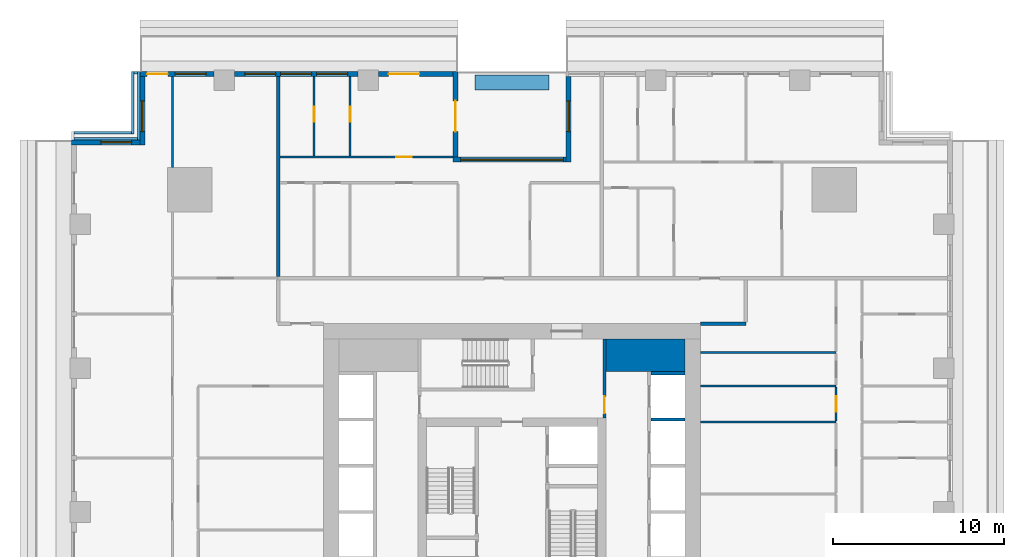
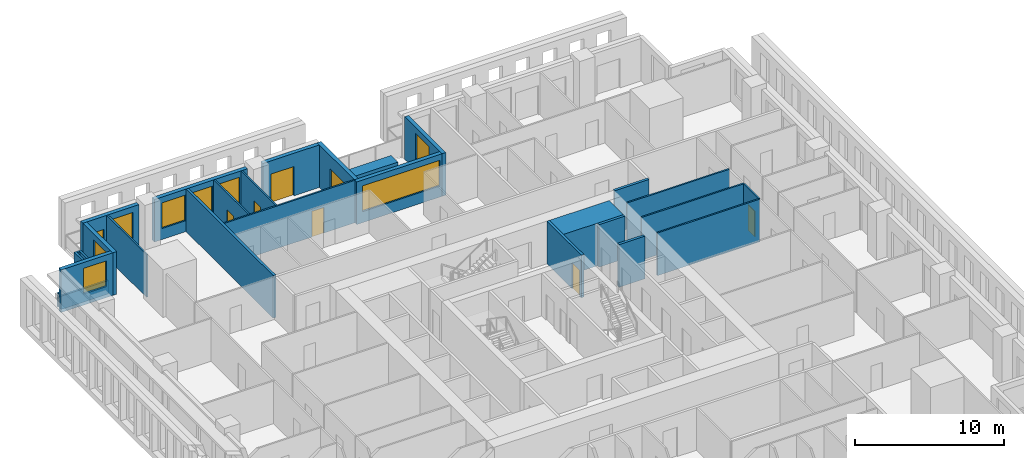
# One storey, part 8 of 16: 28 walls, 8 doors, 8 windows, 16 openings.
"""IFC4 building model written with IfcOpenShell, lengths in metres."""

from ifc_helpers import new_model, si_unit, direction, frame, frame_2d, origin, place, context, subcontext, project, spatial, rectangle, extrude, material, layer, layer_set, type_object, element, fill, save


model = new_model("IFC4")

# Units and contexts
model_context = context("Model", 3, precision=1e-05, world=origin(), true_north=direction((0.0, 1.0)))
body_context = subcontext(model_context, "Body", "Model", "MODEL_VIEW")
ifc_project = project(units=[si_unit("LENGTHUNIT", "METRE"), si_unit("AREAUNIT", "SQUARE_METRE"), si_unit("VOLUMEUNIT", "CUBIC_METRE"), si_unit("PLANEANGLEUNIT", "RADIAN"), si_unit("MASSUNIT", "GRAM", prefix="KILO")], contexts=[model_context])

# Site, building, storey
site_placement = place(None, origin())
site = spatial("IfcSite", under=ifc_project, at=site_placement, CompositionType="ELEMENT")
building_placement = place(site_placement, origin())
building = spatial("IfcBuilding", under=site, at=building_placement, Name="Khepri Terraces", CompositionType="ELEMENT")
storey_placement = place(building_placement, frame((0.0, 0.0, 133.800048828125)))
storey = spatial("IfcBuildingStorey", under=building, at=storey_placement, Name="L31", CompositionType="ELEMENT", Elevation=133.800048828125)

# Walls
ifc_material_1 = material(Name="Concrete C60/75", Category="concrete")
ifc_layer_1 = layer(ifc_material_1, 1.89990234375, Name="Concrete C60/75", Category="concrete")
ifc_layer_set_1 = layer_set([ifc_layer_1], Name="Concrete C60/75")
wall_type_1 = type_object("IfcWallType", Name="Core wall 1900 C60/75", PredefinedType="SHEAR", material=ifc_layer_set_1)
wall_1_placement = place(storey_placement, frame((5.5, 9.14990234375, 0.0), z_axis=(0.0, 0.0, 1.0), x_axis=(1.0, 0.0, 0.0)))
element("IfcWall", 1, at=wall_1_placement, inside=storey, type_object=wall_type_1, Name="Core wall PR04 L31", PredefinedType="SHEAR", context=body_context, shape_type="SweptSolid", body=[
    extrude(rectangle(XDim=4.60009765625, YDim=1.89990234375, at=frame_2d((2.300048828125, 0.0))), origin(), (0.0, 0.0, 1.0), 3.47998046875),
])
ifc_layer_2 = layer(ifc_material_1, 0.199951171875, Name="Concrete C60/75", Category="concrete")
ifc_layer_set_2 = layer_set([ifc_layer_2], Name="Concrete C60/75")
wall_type_2 = type_object("IfcWallType", Name="Core wall 200 C60/75", PredefinedType="SHEAR", material=ifc_layer_set_2)
for number, where, z_axis, x_axis, name in (
    (2, (8.10009765625, 5.39990234375, 0.0), (0.0, 0.0, 1.0), (1.0, 0.0, 0.0), "Core wall SH23 L31"),
    (3, (8.10009765625, 8.10009765625, 0.0), (0.0, 0.0, 1.0), (1.0, 0.0, 0.0), "Core wall SH25 L31"),
):
    element("IfcWall", number, at=place(storey_placement, frame(where, z_axis=z_axis, x_axis=x_axis)), inside=storey, type_object=wall_type_2, Name=name, PredefinedType="SHEAR", context=body_context, shape_type="SweptSolid", body=[
        extrude(rectangle(XDim=2.0, YDim=0.199951171875, at=frame_2d((1.0, 0.0))), origin(), (0.0, 0.0, 1.0), 3.47998046875),
    ])

# Wall, opening, door
ifc_material_2 = material(Name="Fire-rated gypsum board partition")
ifc_layer_3 = layer(ifc_material_2, 0.199951171875, Name="Fire-rated gypsum board partition")
ifc_layer_set_3 = layer_set([ifc_layer_3], Name="Fire-rated gypsum board partition")
wall_type_3 = type_object("IfcWallType", Name="WL-CORE-PART-200", PredefinedType="PARTITIONING", material=ifc_layer_set_3)
wall_2_placement = place(storey_placement, frame((5.39990234375, 5.5, 0.0), z_axis=(0.0, 0.0, 1.0), x_axis=(0.0, 1.0, 0.0)))
wall_2 = element("IfcWall", 4, at=wall_2_placement, inside=storey, type_object=wall_type_3, Name="Core partition PT04 L31", PredefinedType="PARTITIONING", context=body_context, shape_type="SweptSolid", body=[
    extrude(rectangle(XDim=4.60009765625, YDim=0.199951171875, at=frame_2d((2.300048828125, 0.0))), origin(), (0.0, 0.0, 1.0), 3.47998046875),
])
opening_1_placement = place(wall_2_placement, frame((0.25, 0.0, 0.0)))
opening_1 = element("IfcOpeningElement", 5, at=opening_1_placement, cuts=wall_2, Name="Opening L31-C17", PredefinedType="OPENING", context=body_context, shape_type="SweptSolid", body=[
    extrude(rectangle(XDim=1.0, YDim=2.10009765625, at=frame_2d((0.5, 1.050048828125))), frame((0.0, 0.10986328125, 0.0), z_axis=(0.0, -1.0, 0.0), x_axis=(1.0, 0.0, 0.0)), (0.0, 0.0, 1.0), 0.219970703125),
])
ifc_material_3 = material(Name="Painted steel", Category="steel")
door_type_1 = type_object("IfcDoorType", Name="DR-CORE-LOBBY-1000", OperationType="NOTDEFINED", PredefinedType="DOOR", material=ifc_material_3)
door_1_placement = place(opening_1_placement, origin())
door_1 = element("IfcDoor", 6, at=door_1_placement, inside=storey, type_object=door_type_1, Name="Lobby door L31-C17", OperationType="SINGLE_SWING_LEFT", OverallHeight=2.10009765625, OverallWidth=1.0, PredefinedType="DOOR", context=body_context, shape_type="SweptSolid", body=[
    extrude(rectangle(XDim=1.0, YDim=2.10009765625, at=frame_2d((0.5, 1.050048828125))), frame((0.0, 0.02490234375, 0.0), z_axis=(0.0, -1.0, 0.0), x_axis=(1.0, 0.0, 0.0)), (0.0, 0.0, 1.0), 0.050048828125),
])
fill(opening_1, door_1)

# Walls
ifc_material_4 = material(Name="Fire-rated gypsum plasterboard partition, mineral wool")
ifc_layer_4 = layer(ifc_material_4, 0.199951171875, Name="Fire-rated gypsum plasterboard partition, mineral wool")
ifc_layer_set_4 = layer_set([ifc_layer_4], Name="Fire-rated gypsum plasterboard partition, mineral wool")
wall_type_4 = type_object("IfcWallType", Name="WL-CORR-200", PredefinedType="PARTITIONING", material=ifc_layer_set_4)
wall_3_placement = place(storey_placement, frame((11.0, 11.0, 0.0), z_axis=(0.0, 0.0, 1.0), x_axis=(1.0, 0.0, 0.0)))
element("IfcWall", 7, at=wall_3_placement, inside=storey, type_object=wall_type_4, Name="Partition P-077 L31", PredefinedType="PARTITIONING", context=body_context, shape_type="SweptSolid", body=[
    extrude(rectangle(XDim=2.64990234375, YDim=0.199951171875, at=frame_2d((1.324951171875, 0.0))), origin(), (0.0, 0.0, 1.0), 3.47998046875),
])
wall_4_placement = place(storey_placement, frame((-13.64990234375, 13.75, 0.0), z_axis=(0.0, 0.0, 1.0), x_axis=(0.0, 1.0, 0.0)))
element("IfcWall", 8, at=wall_4_placement, inside=storey, type_object=wall_type_4, Name="Partition P-087 L31", PredefinedType="PARTITIONING", context=body_context, shape_type="SweptSolid", body=[
    extrude(rectangle(XDim=11.669921875, YDim=0.199951171875, at=frame_2d((5.8349609375, 0.0))), origin(), (0.0, 0.0, 1.0), 3.47998046875),
])

# Wall, opening, window
ifc_material_5 = material(Name="Precast concrete C50/60 warm stone", Category="masonry")
ifc_layer_5 = layer(ifc_material_5, 0.300048828125, Name="Precast concrete C50/60 warm stone", Category="masonry")
ifc_layer_set_5 = layer_set([ifc_layer_5], Name="Precast concrete C50/60 warm stone")
wall_type_5 = type_object("IfcWallType", Name="WL-EXT-PRECAST-300", PredefinedType="STANDARD", material=ifc_layer_set_5)
wall_5_placement = place(storey_placement, frame((3.300048828125, 25.419921875, 0.0), z_axis=(0.0, 0.0, 1.0), x_axis=(0.0, -1.0, 0.0)))
wall_5 = element("IfcWall", 9, at=wall_5_placement, inside=storey, type_object=wall_type_5, Name="External wall L31 W", PredefinedType="STANDARD", context=body_context, shape_type="SweptSolid", body=[
    extrude(rectangle(XDim=5.0, YDim=0.300048828125, at=frame_2d((2.5, 0.0))), origin(), (0.0, 0.0, 1.0), 3.47998046875),
])
opening_2_placement = place(wall_5_placement, frame((1.419921875, 0.0, 0.89990234375)))
opening_2 = element("IfcOpeningElement", 10, at=opening_2_placement, cuts=wall_5, Name="Opening W1", PredefinedType="OPENING", context=body_context, shape_type="SweptSolid", body=[
    extrude(rectangle(XDim=1.800048828125, YDim=2.10009765625, at=frame_2d((0.89990234375, 1.050048828125))), frame((0.0, 0.16015625, 0.0), z_axis=(0.0, -1.0, 0.0), x_axis=(1.0, 0.0, 0.0)), (0.0, 0.0, 1.0), 0.320068359375),
])
ifc_material_6 = material(Name="Clear glass", Category="glass")
window_type_1 = type_object("IfcWindowType", Name="WIN-RES-1800x2100", PartitioningType="SINGLE_PANEL", PredefinedType="WINDOW", material=ifc_material_6)
window_1_placement = place(opening_2_placement, origin())
window_1 = element("IfcWindow", 11, at=window_1_placement, inside=storey, type_object=window_type_1, Name="Window L31 W", OverallHeight=2.10009765625, OverallWidth=1.800048828125, PartitioningType="SINGLE_PANEL", PredefinedType="WINDOW", context=body_context, shape_type="SweptSolid", body=[
    extrude(rectangle(XDim=1.800048828125, YDim=2.10009765625, at=frame_2d((0.89990234375, 1.050048828125))), frame((0.0, 0.030029296875, 0.0), z_axis=(0.0, -1.0, 0.0), x_axis=(1.0, 0.0, 0.0)), (0.0, 0.0, 1.0), 0.06005859375),
])
fill(opening_2, window_1)

wall_6_placement = place(storey_placement, frame((3.14990234375, 20.570068359375, 0.0), z_axis=(0.0, 0.0, 1.0), x_axis=(-1.0, 0.0, 0.0)))
wall_6 = element("IfcWall", 12, at=wall_6_placement, inside=storey, type_object=wall_type_5, Name="External wall L31 N", PredefinedType="STANDARD", context=body_context, shape_type="SweptSolid", body=[
    extrude(rectangle(XDim=6.599853515625, YDim=0.300048828125, at=frame_2d((3.2998046875, 0.0))), origin(), (0.0, 0.0, 1.0), 3.47998046875),
])
opening_3_placement = place(wall_6_placement, frame((0.14990234375, 0.0, 0.89990234375)))
opening_3 = element("IfcOpeningElement", 13, at=opening_3_placement, cuts=wall_6, Name="Opening W3", PredefinedType="OPENING", context=body_context, shape_type="SweptSolid", body=[
    extrude(rectangle(XDim=6.0, YDim=2.10009765625, at=frame_2d((3.0, 1.050048828125))), frame((0.0, 0.16015625, 0.0), z_axis=(0.0, -1.0, 0.0), x_axis=(1.0, 0.0, 0.0)), (0.0, 0.0, 1.0), 0.320068359375),
])
window_type_2 = type_object("IfcWindowType", Name="WIN-RES-6000x2100", PartitioningType="SINGLE_PANEL", PredefinedType="WINDOW", material=ifc_material_6)
window_2_placement = place(opening_3_placement, origin())
window_2 = element("IfcWindow", 14, at=window_2_placement, inside=storey, type_object=window_type_2, Name="Window L31 N", OverallHeight=2.10009765625, OverallWidth=6.0, PartitioningType="SINGLE_PANEL", PredefinedType="WINDOW", context=body_context, shape_type="SweptSolid", body=[
    extrude(rectangle(XDim=6.0, YDim=2.10009765625, at=frame_2d((3.0, 1.050048828125))), frame((0.0, 0.030029296875, 0.0), z_axis=(0.0, -1.0, 0.0), x_axis=(1.0, 0.0, 0.0)), (0.0, 0.0, 1.0), 0.06005859375),
])
fill(opening_3, window_2)

# Wall, opening, door
wall_7_placement = place(storey_placement, frame((-3.300048828125, 20.719970703125, 0.0), z_axis=(0.0, 0.0, 1.0), x_axis=(0.0, 1.0, 0.0)))
wall_7 = element("IfcWall", 15, at=wall_7_placement, inside=storey, type_object=wall_type_5, Name="External wall L31 E", PredefinedType="STANDARD", context=body_context, shape_type="SweptSolid", body=[
    extrude(rectangle(XDim=5.0, YDim=0.300048828125, at=frame_2d((2.5, 0.0))), origin(), (0.0, 0.0, 1.0), 3.47998046875),
])
opening_4_placement = place(wall_7_placement, frame((1.47998046875, 0.0, 0.0)))
opening_4 = element("IfcOpeningElement", 16, at=opening_4_placement, cuts=wall_7, Name="Opening ED-L31-10", PredefinedType="OPENING", context=body_context, shape_type="SweptSolid", body=[
    extrude(rectangle(XDim=1.800048828125, YDim=2.39990234375, at=frame_2d((0.89990234375, 1.199951171875))), frame((0.0, 0.16015625, 0.0), z_axis=(0.0, -1.0, 0.0), x_axis=(1.0, 0.0, 0.0)), (0.0, 0.0, 1.0), 0.320068359375),
])
ifc_material_7 = material(Name="Anodised aluminium bronze glazed door", Category="aluminium")
door_type_2 = type_object("IfcDoorType", Name="DR-BAL-SLIDE-1800x2400", OperationType="NOTDEFINED", PredefinedType="DOOR", material=ifc_material_7)
door_2_placement = place(opening_4_placement, origin())
door_2 = element("IfcDoor", 17, at=door_2_placement, inside=storey, type_object=door_type_2, Name="Balcony door L31 E", OperationType="SLIDING_TO_RIGHT", OverallHeight=2.39990234375, OverallWidth=1.800048828125, PredefinedType="DOOR", context=body_context, shape_type="SweptSolid", body=[
    extrude(rectangle(XDim=1.800048828125, YDim=2.39990234375, at=frame_2d((0.89990234375, 1.199951171875))), frame((0.0, 0.02490234375, 0.0), z_axis=(0.0, -1.0, 0.0), x_axis=(1.0, 0.0, 0.0)), (0.0, 0.0, 1.0), 0.050048828125),
])
fill(opening_4, door_2)

wall_8_placement = place(storey_placement, frame((-3.449951171875, 25.570068359375, 0.0), z_axis=(0.0, 0.0, 1.0), x_axis=(-1.0, 0.0, 0.0)))
wall_8 = element("IfcWall", 18, at=wall_8_placement, inside=storey, type_object=wall_type_5, Name="External wall L31 N", PredefinedType="STANDARD", context=body_context, shape_type="SweptSolid", body=[
    extrude(rectangle(XDim=4.35009765625, YDim=0.300048828125, at=frame_2d((2.175048828125, 0.0))), origin(), (0.0, 0.0, 1.0), 3.47998046875),
])
opening_5_placement = place(wall_8_placement, frame((1.949951171875, 0.0, 0.0)))
opening_5 = element("IfcOpeningElement", 19, at=opening_5_placement, cuts=wall_8, Name="Opening ED-L31-11", PredefinedType="OPENING", context=body_context, shape_type="SweptSolid", body=[
    extrude(rectangle(XDim=1.800048828125, YDim=2.39990234375, at=frame_2d((0.89990234375, 1.199951171875))), frame((0.0, 0.16015625, 0.0), z_axis=(0.0, -1.0, 0.0), x_axis=(1.0, 0.0, 0.0)), (0.0, 0.0, 1.0), 0.320068359375),
])
door_3_placement = place(opening_5_placement, origin())
door_3 = element("IfcDoor", 20, at=door_3_placement, inside=storey, type_object=door_type_2, Name="Balcony door L31 N", OperationType="SLIDING_TO_RIGHT", OverallHeight=2.39990234375, OverallWidth=1.800048828125, PredefinedType="DOOR", context=body_context, shape_type="SweptSolid", body=[
    extrude(rectangle(XDim=1.800048828125, YDim=2.39990234375, at=frame_2d((0.89990234375, 1.199951171875))), frame((0.0, 0.02490234375, 0.0), z_axis=(0.0, -1.0, 0.0), x_axis=(1.0, 0.0, 0.0)), (0.0, 0.0, 1.0), 0.050048828125),
])
fill(opening_5, door_3)

# Wall, openings, windows
wall_9_placement = place(storey_placement, frame((-9.0, 25.570068359375, 0.0), z_axis=(0.0, 0.0, 1.0), x_axis=(-1.0, 0.0, 0.0)))
wall_9 = element("IfcWall", 21, at=wall_9_placement, inside=storey, type_object=wall_type_5, Name="External wall L31 N", PredefinedType="STANDARD", context=body_context, shape_type="SweptSolid", body=[
    extrude(rectangle(XDim=7.199951171875, YDim=0.300048828125, at=frame_2d((3.60009765625, 0.0))), origin(), (0.0, 0.0, 1.0), 3.47998046875),
])
opening_6_placement = place(wall_9_placement, frame((0.60009765625, 0.0, 0.89990234375)))
opening_6 = element("IfcOpeningElement", 22, at=opening_6_placement, cuts=wall_9, Name="Opening W1", PredefinedType="OPENING", context=body_context, shape_type="SweptSolid", body=[
    extrude(rectangle(XDim=1.800048828125, YDim=2.10009765625, at=frame_2d((0.89990234375, 1.050048828125))), frame((0.0, 0.16015625, 0.0), z_axis=(0.0, -1.0, 0.0), x_axis=(1.0, 0.0, 0.0)), (0.0, 0.0, 1.0), 0.320068359375),
])
opening_7_placement = place(wall_9_placement, frame((2.699951171875, 0.0, 0.89990234375)))
opening_7 = element("IfcOpeningElement", 23, at=opening_7_placement, cuts=wall_9, Name="Opening W1", PredefinedType="OPENING", context=body_context, shape_type="SweptSolid", body=[
    extrude(rectangle(XDim=1.800048828125, YDim=2.10009765625, at=frame_2d((0.89990234375, 1.050048828125))), frame((0.0, 0.16015625, 0.0), z_axis=(0.0, -1.0, 0.0), x_axis=(1.0, 0.0, 0.0)), (0.0, 0.0, 1.0), 0.320068359375),
])
opening_8_placement = place(wall_9_placement, frame((4.800048828125, 0.0, 0.89990234375)))
opening_8 = element("IfcOpeningElement", 24, at=opening_8_placement, cuts=wall_9, Name="Opening W1", PredefinedType="OPENING", context=body_context, shape_type="SweptSolid", body=[
    extrude(rectangle(XDim=1.800048828125, YDim=2.10009765625, at=frame_2d((0.89990234375, 1.050048828125))), frame((0.0, 0.16015625, 0.0), z_axis=(0.0, -1.0, 0.0), x_axis=(1.0, 0.0, 0.0)), (0.0, 0.0, 1.0), 0.320068359375),
])
window_3_placement = place(opening_6_placement, origin())
window_3 = element("IfcWindow", 25, at=window_3_placement, inside=storey, type_object=window_type_1, Name="Window L31 N", OverallHeight=2.10009765625, OverallWidth=1.800048828125, PartitioningType="SINGLE_PANEL", PredefinedType="WINDOW", context=body_context, shape_type="SweptSolid", body=[
    extrude(rectangle(XDim=1.800048828125, YDim=2.10009765625, at=frame_2d((0.89990234375, 1.050048828125))), frame((0.0, 0.030029296875, 0.0), z_axis=(0.0, -1.0, 0.0), x_axis=(1.0, 0.0, 0.0)), (0.0, 0.0, 1.0), 0.06005859375),
])
fill(opening_6, window_3)
window_4_placement = place(opening_7_placement, origin())
window_4 = element("IfcWindow", 26, at=window_4_placement, inside=storey, type_object=window_type_1, Name="Window L31 N", OverallHeight=2.10009765625, OverallWidth=1.800048828125, PartitioningType="SINGLE_PANEL", PredefinedType="WINDOW", context=body_context, shape_type="SweptSolid", body=[
    extrude(rectangle(XDim=1.800048828125, YDim=2.10009765625, at=frame_2d((0.89990234375, 1.050048828125))), frame((0.0, 0.030029296875, 0.0), z_axis=(0.0, -1.0, 0.0), x_axis=(1.0, 0.0, 0.0)), (0.0, 0.0, 1.0), 0.06005859375),
])
fill(opening_7, window_4)
window_5_placement = place(opening_8_placement, origin())
window_5 = element("IfcWindow", 27, at=window_5_placement, inside=storey, type_object=window_type_1, Name="Window L31 N", OverallHeight=2.10009765625, OverallWidth=1.800048828125, PartitioningType="SINGLE_PANEL", PredefinedType="WINDOW", context=body_context, shape_type="SweptSolid", body=[
    extrude(rectangle(XDim=1.800048828125, YDim=2.10009765625, at=frame_2d((0.89990234375, 1.050048828125))), frame((0.0, 0.030029296875, 0.0), z_axis=(0.0, -1.0, 0.0), x_axis=(1.0, 0.0, 0.0)), (0.0, 0.0, 1.0), 0.06005859375),
])
fill(opening_8, window_5)

# Wall, openings, door, window
wall_10_placement = place(storey_placement, frame((-17.39990234375, 25.570068359375, 0.0), z_axis=(0.0, 0.0, 1.0), x_axis=(-1.0, 0.0, 0.0)))
wall_10 = element("IfcWall", 28, at=wall_10_placement, inside=storey, type_object=wall_type_5, Name="External wall L31 N", PredefinedType="STANDARD", context=body_context, shape_type="SweptSolid", body=[
    extrude(rectangle(XDim=4.320068359375, YDim=0.300048828125, at=frame_2d((2.16015625, 0.0))), origin(), (0.0, 0.0, 1.0), 3.47998046875),
])
opening_9_placement = place(wall_10_placement, frame((2.695068359375, 0.0, 0.0)))
opening_9 = element("IfcOpeningElement", 29, at=opening_9_placement, cuts=wall_10, Name="Opening ED-L31-12", PredefinedType="OPENING", context=body_context, shape_type="SweptSolid", body=[
    extrude(rectangle(XDim=1.199951171875, YDim=2.39990234375, at=frame_2d((0.60009765625, 1.199951171875))), frame((0.0, 0.16015625, 0.0), z_axis=(0.0, -1.0, 0.0), x_axis=(1.0, 0.0, 0.0)), (0.0, 0.0, 1.0), 0.320068359375),
])
opening_10_placement = place(wall_10_placement, frame((0.4599609375, 0.0, 0.89990234375)))
opening_10 = element("IfcOpeningElement", 30, at=opening_10_placement, cuts=wall_10, Name="Opening W1", PredefinedType="OPENING", context=body_context, shape_type="SweptSolid", body=[
    extrude(rectangle(XDim=1.800048828125, YDim=2.10009765625, at=frame_2d((0.89990234375, 1.050048828125))), frame((0.0, 0.16015625, 0.0), z_axis=(0.0, -1.0, 0.0), x_axis=(1.0, 0.0, 0.0)), (0.0, 0.0, 1.0), 0.320068359375),
])
door_type_3 = type_object("IfcDoorType", Name="DR-BAL-SLIDE-1200x2400", OperationType="NOTDEFINED", PredefinedType="DOOR", material=ifc_material_7)
door_4_placement = place(opening_9_placement, origin())
door_4 = element("IfcDoor", 31, at=door_4_placement, inside=storey, type_object=door_type_3, Name="Balcony door L31 N", OperationType="SLIDING_TO_LEFT", OverallHeight=2.39990234375, OverallWidth=1.199951171875, PredefinedType="DOOR", context=body_context, shape_type="SweptSolid", body=[
    extrude(rectangle(XDim=1.199951171875, YDim=2.39990234375, at=frame_2d((0.60009765625, 1.199951171875))), frame((0.0, 0.02490234375, 0.0), z_axis=(0.0, -1.0, 0.0), x_axis=(1.0, 0.0, 0.0)), (0.0, 0.0, 1.0), 0.050048828125),
])
fill(opening_9, door_4)
window_6_placement = place(opening_10_placement, origin())
window_6 = element("IfcWindow", 32, at=window_6_placement, inside=storey, type_object=window_type_1, Name="Window L31 N", OverallHeight=2.10009765625, OverallWidth=1.800048828125, PartitioningType="SINGLE_PANEL", PredefinedType="WINDOW", context=body_context, shape_type="SweptSolid", body=[
    extrude(rectangle(XDim=1.800048828125, YDim=2.10009765625, at=frame_2d((0.89990234375, 1.050048828125))), frame((0.0, 0.030029296875, 0.0), z_axis=(0.0, -1.0, 0.0), x_axis=(1.0, 0.0, 0.0)), (0.0, 0.0, 1.0), 0.06005859375),
])
fill(opening_10, window_6)

# Wall, opening, window
wall_11_placement = place(storey_placement, frame((-21.570068359375, 25.419921875, 0.0), z_axis=(0.0, 0.0, 1.0), x_axis=(0.0, -1.0, 0.0)))
wall_11 = element("IfcWall", 33, at=wall_11_placement, inside=storey, type_object=wall_type_5, Name="External wall L31 W", PredefinedType="STANDARD", context=body_context, shape_type="SweptSolid", body=[
    extrude(rectangle(XDim=4.0, YDim=0.300048828125, at=frame_2d((2.0, 0.0))), origin(), (0.0, 0.0, 1.0), 3.47998046875),
])
opening_11_placement = place(wall_11_placement, frame((1.419921875, 0.0, 0.89990234375)))
opening_11 = element("IfcOpeningElement", 34, at=opening_11_placement, cuts=wall_11, Name="Opening W1", PredefinedType="OPENING", context=body_context, shape_type="SweptSolid", body=[
    extrude(rectangle(XDim=1.800048828125, YDim=2.10009765625, at=frame_2d((0.89990234375, 1.050048828125))), frame((0.0, 0.16015625, 0.0), z_axis=(0.0, -1.0, 0.0), x_axis=(1.0, 0.0, 0.0)), (0.0, 0.0, 1.0), 0.320068359375),
])
window_7_placement = place(opening_11_placement, origin())
window_7 = element("IfcWindow", 35, at=window_7_placement, inside=storey, type_object=window_type_1, Name="Window L31 W", OverallHeight=2.10009765625, OverallWidth=1.800048828125, PartitioningType="SINGLE_PANEL", PredefinedType="WINDOW", context=body_context, shape_type="SweptSolid", body=[
    extrude(rectangle(XDim=1.800048828125, YDim=2.10009765625, at=frame_2d((0.89990234375, 1.050048828125))), frame((0.0, 0.030029296875, 0.0), z_axis=(0.0, -1.0, 0.0), x_axis=(1.0, 0.0, 0.0)), (0.0, 0.0, 1.0), 0.06005859375),
])
fill(opening_11, window_7)

wall_12_placement = place(storey_placement, frame((-21.719970703125, 21.570068359375, 0.0), z_axis=(0.0, 0.0, 1.0), x_axis=(-1.0, 0.0, 0.0)))
wall_12 = element("IfcWall", 36, at=wall_12_placement, inside=storey, type_object=wall_type_5, Name="External wall L31 N", PredefinedType="STANDARD", context=body_context, shape_type="SweptSolid", body=[
    extrude(rectangle(XDim=4.0, YDim=0.300048828125, at=frame_2d((2.0, 0.0))), origin(), (0.0, 0.0, 1.0), 3.47998046875),
])
opening_12_placement = place(wall_12_placement, frame((0.47998046875, 0.0, 0.89990234375)))
opening_12 = element("IfcOpeningElement", 37, at=opening_12_placement, cuts=wall_12, Name="Opening W1", PredefinedType="OPENING", context=body_context, shape_type="SweptSolid", body=[
    extrude(rectangle(XDim=1.800048828125, YDim=2.10009765625, at=frame_2d((0.89990234375, 1.050048828125))), frame((0.0, 0.16015625, 0.0), z_axis=(0.0, -1.0, 0.0), x_axis=(1.0, 0.0, 0.0)), (0.0, 0.0, 1.0), 0.320068359375),
])
window_8_placement = place(opening_12_placement, origin())
window_8 = element("IfcWindow", 38, at=window_8_placement, inside=storey, type_object=window_type_1, Name="Window L31 N", OverallHeight=2.10009765625, OverallWidth=1.800048828125, PartitioningType="SINGLE_PANEL", PredefinedType="WINDOW", context=body_context, shape_type="SweptSolid", body=[
    extrude(rectangle(XDim=1.800048828125, YDim=2.10009765625, at=frame_2d((0.89990234375, 1.050048828125))), frame((0.0, 0.030029296875, 0.0), z_axis=(0.0, -1.0, 0.0), x_axis=(1.0, 0.0, 0.0)), (0.0, 0.0, 1.0), 0.06005859375),
])
fill(opening_12, window_8)

# Walls
ifc_layer_6 = layer(ifc_material_5, 0.14990234375, Name="Precast concrete C50/60 warm stone", Category="masonry")
ifc_layer_set_6 = layer_set([ifc_layer_6], Name="Precast concrete C50/60 warm stone")
wall_type_6 = type_object("IfcWallType", Name="WL-PARAPET-150", PredefinedType="PARAPET", material=ifc_layer_set_6)
wall_13_placement = place(storey_placement, frame((-25.570068359375, 22.14501953125, 0.0), z_axis=(0.0, 0.0, 1.0), x_axis=(1.0, 0.0, 0.0)))
element("IfcWall", 39, at=wall_13_placement, inside=storey, type_object=wall_type_6, Name="Ledge parapet L31", PredefinedType="PARAPET", context=body_context, shape_type="SweptSolid", body=[
    extrude(rectangle(XDim=3.35009765625, YDim=0.14990234375, at=frame_2d((1.675048828125, 0.0))), origin(), (0.0, 0.0, 1.0), 1.099853515625),
])
wall_14_placement = place(storey_placement, frame((-25.570068359375, 21.794921875, 0.0), z_axis=(0.0, 0.0, 1.0), x_axis=(1.0, 0.0, 0.0)))
element("IfcWall", 40, at=wall_14_placement, inside=storey, type_object=wall_type_6, Name="Ledge parapet L31", PredefinedType="PARAPET", context=body_context, shape_type="SweptSolid", body=[
    extrude(rectangle(XDim=3.699951171875, YDim=0.14990234375, at=frame_2d((1.85009765625, 0.0))), origin(), (0.0, 0.0, 1.0), 1.099853515625),
])
wall_15_placement = place(storey_placement, frame((-22.14501953125, 22.070068359375, 0.0), z_axis=(0.0, 0.0, 1.0), x_axis=(0.0, 1.0, 0.0)))
element("IfcWall", 41, at=wall_15_placement, inside=storey, type_object=wall_type_6, Name="Ledge parapet L31", PredefinedType="PARAPET", context=body_context, shape_type="SweptSolid", body=[
    extrude(rectangle(XDim=3.64990234375, YDim=0.14990234375, at=frame_2d((1.824951171875, 0.0))), origin(), (0.0, 0.0, 1.0), 1.099853515625),
])
wall_16_placement = place(storey_placement, frame((-22.070068359375, 25.64501953125, 0.0), z_axis=(0.0, 0.0, 1.0), x_axis=(1.0, 0.0, 0.0)))
element("IfcWall", 42, at=wall_16_placement, inside=storey, type_object=wall_type_6, Name="Ledge parapet L31", PredefinedType="PARAPET", context=body_context, shape_type="SweptSolid", body=[
    extrude(rectangle(XDim=0.199951171875, YDim=0.14990234375, at=frame_2d((0.10009765625, 0.0))), origin(), (0.0, 0.0, 1.0), 1.099853515625),
])
wall_17_placement = place(storey_placement, frame((-21.794921875, 21.719970703125, 0.0), z_axis=(0.0, 0.0, 1.0), x_axis=(0.0, 1.0, 0.0)))
element("IfcWall", 43, at=wall_17_placement, inside=storey, type_object=wall_type_6, Name="Ledge parapet L31", PredefinedType="PARAPET", context=body_context, shape_type="SweptSolid", body=[
    extrude(rectangle(XDim=4.0, YDim=0.14990234375, at=frame_2d((2.0, 0.0))), origin(), (0.0, 0.0, 1.0), 1.099853515625),
])
ifc_material_8 = material(Name="Gypsum plasterboard partition")
ifc_layer_7 = layer(ifc_material_8, 0.1201171875, Name="Gypsum plasterboard partition")
ifc_layer_set_7 = layer_set([ifc_layer_7], Name="Gypsum plasterboard partition")
wall_type_7 = type_object("IfcWallType", Name="WL-PART-120", PredefinedType="PARTITIONING", material=ifc_layer_set_7)
wall_18_placement = place(storey_placement, frame((11.0, 5.25, 0.0), z_axis=(0.0, 0.0, 1.0), x_axis=(1.0, 0.0, 0.0)))
element("IfcWall", 44, at=wall_18_placement, inside=storey, type_object=wall_type_7, Name="Partition P-065 L31", PredefinedType="PARTITIONING", context=body_context, shape_type="SweptSolid", body=[
    extrude(rectangle(XDim=7.919921875, YDim=0.1201171875, at=frame_2d((3.9599609375, 0.0))), origin(), (0.0, 0.0, 1.0), 3.47998046875),
])

# Wall, opening, door
wall_19_placement = place(storey_placement, frame((18.919921875, 5.31005859375, 0.0), z_axis=(0.0, 0.0, 1.0), x_axis=(0.0, 1.0, 0.0)))
wall_19 = element("IfcWall", 45, at=wall_19_placement, inside=storey, type_object=wall_type_7, Name="Partition P-067 L31", PredefinedType="PARTITIONING", context=body_context, shape_type="SweptSolid", body=[
    extrude(rectangle(XDim=1.97998046875, YDim=0.1201171875, at=frame_2d((0.989990234375, 0.0))), origin(), (0.0, 0.0, 1.0), 3.47998046875),
])
opening_13_placement = place(wall_19_placement, frame((0.5400390625, 0.0, 0.0)))
opening_13 = element("IfcOpeningElement", 46, at=opening_13_placement, cuts=wall_19, Name="Opening D4", PredefinedType="OPENING", context=body_context, shape_type="SweptSolid", body=[
    extrude(rectangle(XDim=0.89990234375, YDim=2.10009765625, at=frame_2d((0.449951171875, 1.050048828125))), frame((0.0, 0.070068359375, 0.0), z_axis=(0.0, -1.0, 0.0), x_axis=(1.0, 0.0, 0.0)), (0.0, 0.0, 1.0), 0.14013671875),
])
ifc_material_9 = material(Name="Timber door leaf, moisture resistant", Category="wood")
door_type_4 = type_object("IfcDoorType", Name="DR-WET-900", OperationType="NOTDEFINED", PredefinedType="DOOR", material=ifc_material_9)
door_5_placement = place(opening_13_placement, origin())
door_5 = element("IfcDoor", 47, at=door_5_placement, inside=storey, type_object=door_type_4, Name="Door Powder Room", OperationType="SINGLE_SWING_RIGHT", OverallHeight=2.10009765625, OverallWidth=0.89990234375, PredefinedType="DOOR", context=body_context, shape_type="SweptSolid", body=[
    extrude(rectangle(XDim=0.89990234375, YDim=2.10009765625, at=frame_2d((0.449951171875, 1.050048828125))), frame((0.0, 0.02490234375, 0.0), z_axis=(0.0, -1.0, 0.0), x_axis=(1.0, 0.0, 0.0)), (0.0, 0.0, 1.0), 0.050048828125),
])
fill(opening_13, door_5)

# Walls
for number, where, z_axis, x_axis, name in (
    (48, (11.0, 7.35009765625, 0.0), (0.0, 0.0, 1.0), (1.0, 0.0, 0.0), "Partition P-070 L31"),
    (49, (11.0, 9.300048828125, 0.0), (0.0, 0.0, 1.0), (1.0, 0.0, 0.0), "Partition P-074 L31"),
):
    element("IfcWall", number, at=place(storey_placement, frame(where, z_axis=z_axis, x_axis=x_axis)), inside=storey, type_object=wall_type_7, Name=name, PredefinedType="PARTITIONING", context=body_context, shape_type="SweptSolid", body=[
        extrude(rectangle(XDim=7.919921875, YDim=0.1201171875, at=frame_2d((3.9599609375, 0.0))), origin(), (0.0, 0.0, 1.0), 3.47998046875),
    ])
wall_20_placement = place(storey_placement, frame((-19.820068359375, 20.10009765625, 0.0), z_axis=(0.0, 0.0, 1.0), x_axis=(0.0, 1.0, 0.0)))
element("IfcWall", 50, at=wall_20_placement, inside=storey, type_object=wall_type_7, Name="Partition P-099 L31", PredefinedType="PARTITIONING", context=body_context, shape_type="SweptSolid", body=[
    extrude(rectangle(XDim=5.31982421875, YDim=0.1201171875, at=frame_2d((2.659912109375, 0.0))), origin(), (0.0, 0.0, 1.0), 3.47998046875),
])

# Wall, opening, door
wall_21_placement = place(storey_placement, frame((-13.550048828125, 20.719970703125, 0.0), z_axis=(0.0, 0.0, 1.0), x_axis=(1.0, 0.0, 0.0)))
wall_21 = element("IfcWall", 51, at=wall_21_placement, inside=storey, type_object=wall_type_7, Name="Partition P-104 L31", PredefinedType="PARTITIONING", context=body_context, shape_type="SweptSolid", body=[
    extrude(rectangle(XDim=10.10009765625, YDim=0.1201171875, at=frame_2d((5.050048828125, 0.0))), origin(), (0.0, 0.0, 1.0), 3.47998046875),
])
opening_14_placement = place(wall_21_placement, frame((6.800048828125, 0.0, 0.0)))
opening_14 = element("IfcOpeningElement", 52, at=opening_14_placement, cuts=wall_21, Name="Opening D3", PredefinedType="OPENING", context=body_context, shape_type="SweptSolid", body=[
    extrude(rectangle(XDim=0.89990234375, YDim=2.10009765625, at=frame_2d((0.449951171875, 1.050048828125))), frame((0.0, 0.070068359375, 0.0), z_axis=(0.0, -1.0, 0.0), x_axis=(1.0, 0.0, 0.0)), (0.0, 0.0, 1.0), 0.14013671875),
])
ifc_material_10 = material(Name="Timber door leaf", Category="wood")
door_type_5 = type_object("IfcDoorType", Name="DR-INT-900", OperationType="NOTDEFINED", PredefinedType="DOOR", material=ifc_material_10)
door_6_placement = place(opening_14_placement, origin())
door_6 = element("IfcDoor", 53, at=door_6_placement, inside=storey, type_object=door_type_5, Name="Door Master Bedroom", OperationType="SINGLE_SWING_RIGHT", OverallHeight=2.10009765625, OverallWidth=0.89990234375, PredefinedType="DOOR", context=body_context, shape_type="SweptSolid", body=[
    extrude(rectangle(XDim=0.89990234375, YDim=2.10009765625, at=frame_2d((0.449951171875, 1.050048828125))), frame((0.0, 0.02490234375, 0.0), z_axis=(0.0, -1.0, 0.0), x_axis=(1.0, 0.0, 0.0)), (0.0, 0.0, 1.0), 0.050048828125),
])
fill(opening_14, door_6)

wall_22_placement = place(storey_placement, frame((-11.550048828125, 20.780029296875, 0.0), z_axis=(0.0, 0.0, 1.0), x_axis=(0.0, 1.0, 0.0)))
wall_22 = element("IfcWall", 54, at=wall_22_placement, inside=storey, type_object=wall_type_7, Name="Partition P-105 L31", PredefinedType="PARTITIONING", context=body_context, shape_type="SweptSolid", body=[
    extrude(rectangle(XDim=4.639892578125, YDim=0.1201171875, at=frame_2d((2.31982421875, 0.0))), origin(), (0.0, 0.0, 1.0), 3.47998046875),
])
opening_15_placement = place(wall_22_placement, frame((1.989990234375, 0.0, 0.0)))
opening_15 = element("IfcOpeningElement", 55, at=opening_15_placement, cuts=wall_22, Name="Opening D4", PredefinedType="OPENING", context=body_context, shape_type="SweptSolid", body=[
    extrude(rectangle(XDim=0.89990234375, YDim=2.10009765625, at=frame_2d((0.449951171875, 1.050048828125))), frame((0.0, 0.070068359375, 0.0), z_axis=(0.0, -1.0, 0.0), x_axis=(1.0, 0.0, 0.0)), (0.0, 0.0, 1.0), 0.14013671875),
])
door_7_placement = place(opening_15_placement, origin())
door_7 = element("IfcDoor", 56, at=door_7_placement, inside=storey, type_object=door_type_4, Name="Door Bathroom", OperationType="SINGLE_SWING_RIGHT", OverallHeight=2.10009765625, OverallWidth=0.89990234375, PredefinedType="DOOR", context=body_context, shape_type="SweptSolid", body=[
    extrude(rectangle(XDim=0.89990234375, YDim=2.10009765625, at=frame_2d((0.449951171875, 1.050048828125))), frame((0.0, 0.02490234375, 0.0), z_axis=(0.0, -1.0, 0.0), x_axis=(1.0, 0.0, 0.0)), (0.0, 0.0, 1.0), 0.050048828125),
])
fill(opening_15, door_7)

wall_23_placement = place(storey_placement, frame((-9.449951171875, 20.780029296875, 0.0), z_axis=(0.0, 0.0, 1.0), x_axis=(0.0, 1.0, 0.0)))
wall_23 = element("IfcWall", 57, at=wall_23_placement, inside=storey, type_object=wall_type_7, Name="Partition P-106 L31", PredefinedType="PARTITIONING", context=body_context, shape_type="SweptSolid", body=[
    extrude(rectangle(XDim=4.639892578125, YDim=0.1201171875, at=frame_2d((2.31982421875, 0.0))), origin(), (0.0, 0.0, 1.0), 3.47998046875),
])
opening_16_placement = place(wall_23_placement, frame((1.989990234375, 0.0, 0.0)))
opening_16 = element("IfcOpeningElement", 58, at=opening_16_placement, cuts=wall_23, Name="Opening D3", PredefinedType="OPENING", context=body_context, shape_type="SweptSolid", body=[
    extrude(rectangle(XDim=0.89990234375, YDim=2.10009765625, at=frame_2d((0.449951171875, 1.050048828125))), frame((0.0, 0.070068359375, 0.0), z_axis=(0.0, -1.0, 0.0), x_axis=(1.0, 0.0, 0.0)), (0.0, 0.0, 1.0), 0.14013671875),
])
door_8_placement = place(opening_16_placement, origin())
door_8 = element("IfcDoor", 59, at=door_8_placement, inside=storey, type_object=door_type_5, Name="Door Dressing Room", OperationType="SINGLE_SWING_RIGHT", OverallHeight=2.10009765625, OverallWidth=0.89990234375, PredefinedType="DOOR", context=body_context, shape_type="SweptSolid", body=[
    extrude(rectangle(XDim=0.89990234375, YDim=2.10009765625, at=frame_2d((0.449951171875, 1.050048828125))), frame((0.0, 0.02490234375, 0.0), z_axis=(0.0, -1.0, 0.0), x_axis=(1.0, 0.0, 0.0)), (0.0, 0.0, 1.0), 0.050048828125),
])
fill(opening_16, door_8)

# Wall
ifc_layer_8 = layer(ifc_material_5, 0.89990234375, Name="Precast concrete C50/60 warm stone", Category="masonry")
ifc_layer_set_8 = layer_set([ifc_layer_8], Name="Precast concrete C50/60 warm stone")
wall_type_8 = type_object("IfcWallType", Name="WL-PLANTER-900", PredefinedType="MOVABLE", material=ifc_layer_set_8)
wall_24_placement = place(storey_placement, frame((-2.14990234375, 25.070068359375, 0.0), z_axis=(0.0, 0.0, 1.0), x_axis=(1.0, 0.0, 0.0)))
element("IfcWall", 60, at=wall_24_placement, inside=storey, type_object=wall_type_8, Name="Planter L31", PredefinedType="MOVABLE", context=body_context, shape_type="SweptSolid", body=[
    extrude(rectangle(XDim=4.2998046875, YDim=0.89990234375, at=frame_2d((2.14990234375, 0.0))), origin(), (0.0, 0.0, 1.0), 0.599853515625),
])

save(model, "model.ifc")
